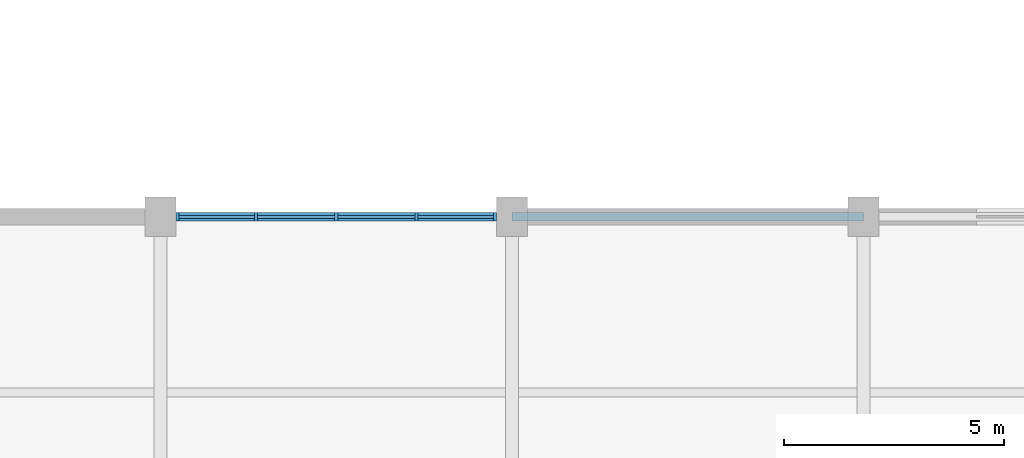
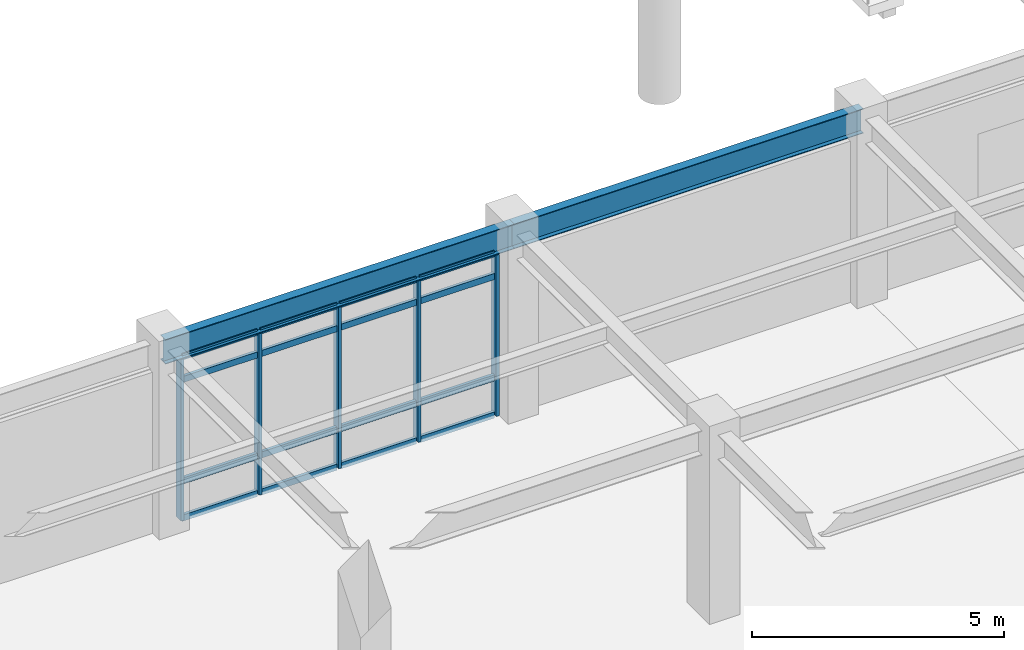
# One storey, part 30 of 117: 21 members, 2 beams, 1 element without a shape of its own.
"""IFC4 building model written with IfcOpenShell, lengths in metres."""

from ifc_helpers import new_model, si_unit, direction, frame, origin, origin_2d, place, context, subcontext, project, spatial, rectangle, i_section, extrude, material, layer, layer_set, material_profile, profile_set, type_object, element, aggregate, save


model = new_model("IFC4")

# Units and contexts
model_context = context("Model", 3, precision=1e-05, world=origin(), true_north=direction((0.0, 1.0)))
body_context = subcontext(model_context, "Body", "Model", "MODEL_VIEW")
ifc_project = project(units=[si_unit("LENGTHUNIT", "METRE"), si_unit("AREAUNIT", "SQUARE_METRE"), si_unit("VOLUMEUNIT", "CUBIC_METRE"), si_unit("PLANEANGLEUNIT", "RADIAN"), si_unit("MASSUNIT", "GRAM", prefix="KILO")], contexts=[model_context])

# Site, building, storey
site_placement = place(None, origin())
site = spatial("IfcSite", under=ifc_project, at=site_placement, CompositionType="ELEMENT")
building_placement = place(site_placement, origin())
building = spatial("IfcBuilding", under=site, at=building_placement, Name="Haebicheon Civic Stadium", CompositionType="ELEMENT")
storey_placement = place(building_placement, frame((0.0, 0.0, 4.800048828125)))
storey = spatial("IfcBuildingStorey", under=building, at=storey_placement, Name="L02", CompositionType="ELEMENT", Elevation=4.800048828125)

# Curtain wall, members
ifc_material_1 = material(Name="Anodised aluminium and laminated glass", Category="aluminium")
ifc_layer = layer(ifc_material_1, 0.179931640625, Name="Anodised aluminium and laminated glass")
ifc_layer_set = layer_set([ifc_layer], Name="Anodised aluminium and laminated glass")
curtain_wall_type = type_object("IfcCurtainWallType", Name="CW-7300x3910", PredefinedType="NOTDEFINED", material=ifc_layer_set)
curtain_wall_placement = place(storey_placement, origin())
curtain_wall = element("IfcCurtainWall", 1, at=curtain_wall_placement, inside=storey, type_object=curtain_wall_type, material=ifc_layer_set, Name="L02 unitised curtain wall 058", PredefinedType="NOTDEFINED")
ifc_material_2 = material(Name="Anodised aluminium 6063-T6", Category="aluminium")
ifc_material_profile_1 = material_profile(ifc_material_2, rectangle(XDim=0.070068359375, YDim=0.199951171875, at=origin_2d()), Name="ALU-MULL-70x200")
ifc_profile_set_1 = profile_set([ifc_material_profile_1], Name="Anodised aluminium 6063-T6")
member_type_1 = type_object("IfcMemberType", Name="CWM-200x70", PredefinedType="MULLION", material=ifc_profile_set_1)
member_1_placement = place(storey_placement, frame((176.385009765625, 48.0, 0.0), z_axis=(0.0, 0.0, 1.0), x_axis=(1.0, 0.0, 0.0)))
member_1 = element("IfcMember", 2, at=member_1_placement, type_object=member_type_1, material=ifc_profile_set_1, Name="CW-L02-058 vertical mullion 1", PredefinedType="MULLION", context=body_context, shape_type="SweptSolid", body=[
    extrude(rectangle(XDim=0.070068359375, YDim=0.199951171875, at=origin_2d()), origin(), (0.0, 0.0, 1.0), 3.909912109375),
])
member_2_placement = place(storey_placement, frame((178.175048828125, 48.0, 0.0), z_axis=(0.0, 0.0, 1.0), x_axis=(1.0, 0.0, 0.0)))
member_2 = element("IfcMember", 3, at=member_2_placement, type_object=member_type_1, material=ifc_profile_set_1, Name="CW-L02-058 vertical mullion 2", PredefinedType="MULLION", context=body_context, shape_type="SweptSolid", body=[
    extrude(rectangle(XDim=0.070068359375, YDim=0.199951171875, at=origin_2d()), origin(), (0.0, 0.0, 1.0), 3.909912109375),
])
member_3_placement = place(storey_placement, frame((180.0, 48.0, 0.0), z_axis=(0.0, 0.0, 1.0), x_axis=(1.0, 0.0, 0.0)))
member_3 = element("IfcMember", 4, at=member_3_placement, type_object=member_type_1, material=ifc_profile_set_1, Name="CW-L02-058 vertical mullion 3", PredefinedType="MULLION", context=body_context, shape_type="SweptSolid", body=[
    extrude(rectangle(XDim=0.070068359375, YDim=0.199951171875, at=origin_2d()), origin(), (0.0, 0.0, 1.0), 3.909912109375),
])
member_4_placement = place(storey_placement, frame((181.824951171875, 48.0, 0.0), z_axis=(0.0, 0.0, 1.0), x_axis=(1.0, 0.0, 0.0)))
member_4 = element("IfcMember", 5, at=member_4_placement, type_object=member_type_1, material=ifc_profile_set_1, Name="CW-L02-058 vertical mullion 4", PredefinedType="MULLION", context=body_context, shape_type="SweptSolid", body=[
    extrude(rectangle(XDim=0.070068359375, YDim=0.199951171875, at=origin_2d()), origin(), (0.0, 0.0, 1.0), 3.909912109375),
])
member_5_placement = place(storey_placement, frame((183.614990234375, 48.0, 0.0), z_axis=(0.0, 0.0, 1.0), x_axis=(1.0, 0.0, 0.0)))
member_5 = element("IfcMember", 6, at=member_5_placement, type_object=member_type_1, material=ifc_profile_set_1, Name="CW-L02-058 vertical mullion 5", PredefinedType="MULLION", context=body_context, shape_type="SweptSolid", body=[
    extrude(rectangle(XDim=0.070068359375, YDim=0.199951171875, at=origin_2d()), origin(), (0.0, 0.0, 1.0), 3.909912109375),
])
ifc_material_3 = material(Name="Anodised aluminium 6063-T6", Category="aluminium")
ifc_material_profile_2 = material_profile(ifc_material_3, rectangle(XDim=0.070068359375, YDim=0.14990234375, at=origin_2d()), Name="ALU-TRAN-70x150")
ifc_profile_set_2 = profile_set([ifc_material_profile_2], Name="Anodised aluminium 6063-T6")
member_type_2 = type_object("IfcMemberType", Name="CWT-150x70", PredefinedType="NOTDEFINED", material=ifc_profile_set_2)
member_6_placement = place(storey_placement, frame((176.419921875, 48.0, 0.0), z_axis=(1.0, 0.0, 0.0), x_axis=(0.0, 1.0, 0.0)))
member_6 = element("IfcMember", 7, at=member_6_placement, type_object=member_type_2, material=ifc_profile_set_2, Name="CW-L02-058 horizontal transom 1.1", ObjectType="TRANSOM", PredefinedType="USERDEFINED", context=body_context, shape_type="SweptSolid", body=[
    extrude(rectangle(XDim=0.070068359375, YDim=0.14990234375, at=origin_2d()), origin(), (0.0, 0.0, 1.0), 1.719970703125),
])
member_7_placement = place(storey_placement, frame((176.419921875, 48.0, 0.89990234375), z_axis=(1.0, 0.0, 0.0), x_axis=(0.0, 1.0, 0.0)))
member_7 = element("IfcMember", 8, at=member_7_placement, type_object=member_type_2, material=ifc_profile_set_2, Name="CW-L02-058 horizontal transom 1.2", ObjectType="TRANSOM", PredefinedType="USERDEFINED", context=body_context, shape_type="SweptSolid", body=[
    extrude(rectangle(XDim=0.070068359375, YDim=0.14990234375, at=origin_2d()), origin(), (0.0, 0.0, 1.0), 1.719970703125),
])
member_8_placement = place(storey_placement, frame((176.419921875, 48.0, 3.35986328125), z_axis=(1.0, 0.0, 0.0), x_axis=(0.0, 1.0, 0.0)))
member_8 = element("IfcMember", 9, at=member_8_placement, type_object=member_type_2, material=ifc_profile_set_2, Name="CW-L02-058 horizontal transom 1.3", ObjectType="TRANSOM", PredefinedType="USERDEFINED", context=body_context, shape_type="SweptSolid", body=[
    extrude(rectangle(XDim=0.070068359375, YDim=0.14990234375, at=origin_2d()), origin(), (0.0, 0.0, 1.0), 1.719970703125),
])
member_9_placement = place(storey_placement, frame((176.419921875, 48.0, 3.909912109375), z_axis=(1.0, 0.0, 0.0), x_axis=(0.0, 1.0, 0.0)))
member_9 = element("IfcMember", 10, at=member_9_placement, type_object=member_type_2, material=ifc_profile_set_2, Name="CW-L02-058 horizontal transom 1.4", ObjectType="TRANSOM", PredefinedType="USERDEFINED", context=body_context, shape_type="SweptSolid", body=[
    extrude(rectangle(XDim=0.070068359375, YDim=0.14990234375, at=origin_2d()), origin(), (0.0, 0.0, 1.0), 1.719970703125),
])
member_10_placement = place(storey_placement, frame((178.2099609375, 48.0, 0.0), z_axis=(1.0, 0.0, 0.0), x_axis=(0.0, 1.0, 0.0)))
member_10 = element("IfcMember", 11, at=member_10_placement, type_object=member_type_2, material=ifc_profile_set_2, Name="CW-L02-058 horizontal transom 2.1", ObjectType="TRANSOM", PredefinedType="USERDEFINED", context=body_context, shape_type="SweptSolid", body=[
    extrude(rectangle(XDim=0.070068359375, YDim=0.14990234375, at=origin_2d()), origin(), (0.0, 0.0, 1.0), 1.755126953125),
])
member_11_placement = place(storey_placement, frame((178.2099609375, 48.0, 0.89990234375), z_axis=(1.0, 0.0, 0.0), x_axis=(0.0, 1.0, 0.0)))
member_11 = element("IfcMember", 12, at=member_11_placement, type_object=member_type_2, material=ifc_profile_set_2, Name="CW-L02-058 horizontal transom 2.2", ObjectType="TRANSOM", PredefinedType="USERDEFINED", context=body_context, shape_type="SweptSolid", body=[
    extrude(rectangle(XDim=0.070068359375, YDim=0.14990234375, at=origin_2d()), origin(), (0.0, 0.0, 1.0), 1.755126953125),
])
member_12_placement = place(storey_placement, frame((178.2099609375, 48.0, 3.35986328125), z_axis=(1.0, 0.0, 0.0), x_axis=(0.0, 1.0, 0.0)))
member_12 = element("IfcMember", 13, at=member_12_placement, type_object=member_type_2, material=ifc_profile_set_2, Name="CW-L02-058 horizontal transom 2.3", ObjectType="TRANSOM", PredefinedType="USERDEFINED", context=body_context, shape_type="SweptSolid", body=[
    extrude(rectangle(XDim=0.070068359375, YDim=0.14990234375, at=origin_2d()), origin(), (0.0, 0.0, 1.0), 1.755126953125),
])
member_13_placement = place(storey_placement, frame((178.2099609375, 48.0, 3.909912109375), z_axis=(1.0, 0.0, 0.0), x_axis=(0.0, 1.0, 0.0)))
member_13 = element("IfcMember", 14, at=member_13_placement, type_object=member_type_2, material=ifc_profile_set_2, Name="CW-L02-058 horizontal transom 2.4", ObjectType="TRANSOM", PredefinedType="USERDEFINED", context=body_context, shape_type="SweptSolid", body=[
    extrude(rectangle(XDim=0.070068359375, YDim=0.14990234375, at=origin_2d()), origin(), (0.0, 0.0, 1.0), 1.755126953125),
])
member_14_placement = place(storey_placement, frame((180.034912109375, 48.0, 0.0), z_axis=(1.0, 0.0, 0.0), x_axis=(0.0, 1.0, 0.0)))
member_14 = element("IfcMember", 15, at=member_14_placement, type_object=member_type_2, material=ifc_profile_set_2, Name="CW-L02-058 horizontal transom 3.1", ObjectType="TRANSOM", PredefinedType="USERDEFINED", context=body_context, shape_type="SweptSolid", body=[
    extrude(rectangle(XDim=0.070068359375, YDim=0.14990234375, at=origin_2d()), origin(), (0.0, 0.0, 1.0), 1.755126953125),
])
member_15_placement = place(storey_placement, frame((180.034912109375, 48.0, 0.89990234375), z_axis=(1.0, 0.0, 0.0), x_axis=(0.0, 1.0, 0.0)))
member_15 = element("IfcMember", 16, at=member_15_placement, type_object=member_type_2, material=ifc_profile_set_2, Name="CW-L02-058 horizontal transom 3.2", ObjectType="TRANSOM", PredefinedType="USERDEFINED", context=body_context, shape_type="SweptSolid", body=[
    extrude(rectangle(XDim=0.070068359375, YDim=0.14990234375, at=origin_2d()), origin(), (0.0, 0.0, 1.0), 1.755126953125),
])
member_16_placement = place(storey_placement, frame((180.034912109375, 48.0, 3.35986328125), z_axis=(1.0, 0.0, 0.0), x_axis=(0.0, 1.0, 0.0)))
member_16 = element("IfcMember", 17, at=member_16_placement, type_object=member_type_2, material=ifc_profile_set_2, Name="CW-L02-058 horizontal transom 3.3", ObjectType="TRANSOM", PredefinedType="USERDEFINED", context=body_context, shape_type="SweptSolid", body=[
    extrude(rectangle(XDim=0.070068359375, YDim=0.14990234375, at=origin_2d()), origin(), (0.0, 0.0, 1.0), 1.755126953125),
])
member_17_placement = place(storey_placement, frame((180.034912109375, 48.0, 3.909912109375), z_axis=(1.0, 0.0, 0.0), x_axis=(0.0, 1.0, 0.0)))
member_17 = element("IfcMember", 18, at=member_17_placement, type_object=member_type_2, material=ifc_profile_set_2, Name="CW-L02-058 horizontal transom 3.4", ObjectType="TRANSOM", PredefinedType="USERDEFINED", context=body_context, shape_type="SweptSolid", body=[
    extrude(rectangle(XDim=0.070068359375, YDim=0.14990234375, at=origin_2d()), origin(), (0.0, 0.0, 1.0), 1.755126953125),
])
member_18_placement = place(storey_placement, frame((181.860107421875, 48.0, 0.0), z_axis=(1.0, 0.0, 0.0), x_axis=(0.0, 1.0, 0.0)))
member_18 = element("IfcMember", 19, at=member_18_placement, type_object=member_type_2, material=ifc_profile_set_2, Name="CW-L02-058 horizontal transom 4.1", ObjectType="TRANSOM", PredefinedType="USERDEFINED", context=body_context, shape_type="SweptSolid", body=[
    extrude(rectangle(XDim=0.070068359375, YDim=0.14990234375, at=origin_2d()), origin(), (0.0, 0.0, 1.0), 1.719970703125),
])
member_19_placement = place(storey_placement, frame((181.860107421875, 48.0, 0.89990234375), z_axis=(1.0, 0.0, 0.0), x_axis=(0.0, 1.0, 0.0)))
member_19 = element("IfcMember", 20, at=member_19_placement, type_object=member_type_2, material=ifc_profile_set_2, Name="CW-L02-058 horizontal transom 4.2", ObjectType="TRANSOM", PredefinedType="USERDEFINED", context=body_context, shape_type="SweptSolid", body=[
    extrude(rectangle(XDim=0.070068359375, YDim=0.14990234375, at=origin_2d()), origin(), (0.0, 0.0, 1.0), 1.719970703125),
])
member_20_placement = place(storey_placement, frame((181.860107421875, 48.0, 3.35986328125), z_axis=(1.0, 0.0, 0.0), x_axis=(0.0, 1.0, 0.0)))
member_20 = element("IfcMember", 21, at=member_20_placement, type_object=member_type_2, material=ifc_profile_set_2, Name="CW-L02-058 horizontal transom 4.3", ObjectType="TRANSOM", PredefinedType="USERDEFINED", context=body_context, shape_type="SweptSolid", body=[
    extrude(rectangle(XDim=0.070068359375, YDim=0.14990234375, at=origin_2d()), origin(), (0.0, 0.0, 1.0), 1.719970703125),
])
member_21_placement = place(storey_placement, frame((181.860107421875, 48.0, 3.909912109375), z_axis=(1.0, 0.0, 0.0), x_axis=(0.0, 1.0, 0.0)))
member_21 = element("IfcMember", 22, at=member_21_placement, type_object=member_type_2, material=ifc_profile_set_2, Name="CW-L02-058 horizontal transom 4.4", ObjectType="TRANSOM", PredefinedType="USERDEFINED", context=body_context, shape_type="SweptSolid", body=[
    extrude(rectangle(XDim=0.070068359375, YDim=0.14990234375, at=origin_2d()), origin(), (0.0, 0.0, 1.0), 1.719970703125),
])
aggregate(curtain_wall, [member_1, member_2, member_3, member_4, member_5, member_6, member_7, member_8, member_9, member_10, member_11, member_12, member_13, member_14, member_15, member_16, member_17, member_18, member_19, member_20, member_21])

# Beams
ifc_material_4 = material(Name="Steel SM355 (S355)", Category="steel")
ifc_material_profile_3 = material_profile(ifc_material_4, i_section(OverallWidth=0.199951171875, OverallDepth=0.60009765625, WebThickness=0.010986328125, FlangeThickness=0.01708984375, at=origin_2d()), Name="H-600x200x11x17")
ifc_profile_set_3 = profile_set([ifc_material_profile_3], Name="Steel SM355 (S355)")
beam_type = type_object("IfcBeamType", Name="SPD-ST-H600B", PredefinedType="SPANDREL", material=ifc_profile_set_3)
for number, where, z_axis, x_axis, name in (
    (23, (176.0, 48.0, 4.219970703125), (1.0, 0.0, 0.0), (0.0, 1.0, 0.0), "L02 beam G/23-24"),
    (24, (184.0, 48.0, 4.219970703125), (1.0, 0.0, 0.0), (0.0, 1.0, 0.0), "L02 beam G/24-25"),
):
    element("IfcBeam", number, at=place(storey_placement, frame(where, z_axis=z_axis, x_axis=x_axis)), inside=storey, type_object=beam_type, material=ifc_profile_set_3, Name=name, PredefinedType="SPANDREL", context=body_context, shape_type="SweptSolid", body=[
        extrude(i_section(OverallWidth=0.199951171875, OverallDepth=0.60009765625, WebThickness=0.010986328125, FlangeThickness=0.01708984375, at=origin_2d()), origin(), (0.0, 0.0, 1.0), 8.0),
    ])

save(model, "model.ifc")
